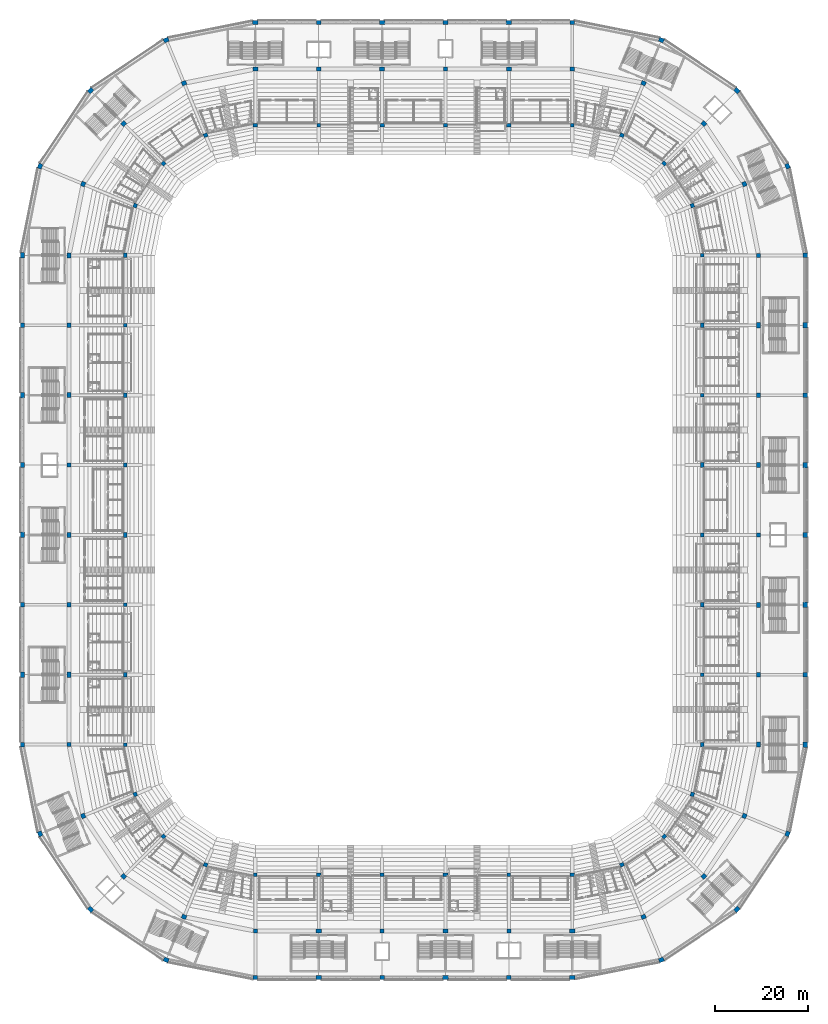
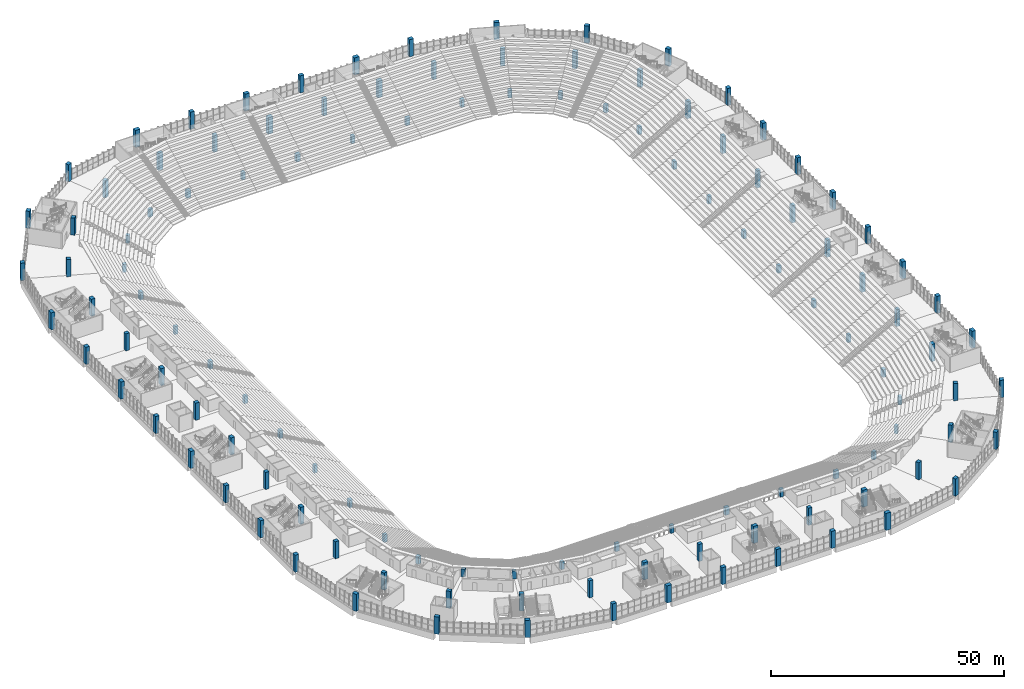
# One storey, part 1 of 249: 120 columns.
"""IFC4 building model written with IfcOpenShell, lengths in metres."""

import ifcopenshell
import ifcopenshell.guid

model = None  # the IFC model being written
_history = None  # IfcOwnerHistory: only IFC2X3 demands one
_inside = {}  # id of a spatial element -> (the spatial element, [elements in it])
_under = {}  # id of a project, library or spatial element -> (it, [spatial elements below it])
_declared = {}  # id of a project -> (the project, [libraries it declares])
_typed = {}  # id of a type object -> (the type object, [elements of that type])
_made_of = {}  # id of a material, layer set ... -> (it, [elements and type objects made of it])


def new_model(schema):
    """Start an empty IFC model of exactly this schema.

    Asked for "IFC4X3", IfcOpenShell would pick the latest addendum, in which some entities
    have other attributes; the version numbers below select the first issue.
    IFC2X3 requires an IfcOwnerHistory on every rooted entity: one is made here for all.
    """
    global model, _history
    if schema == "IFC4X3":
        model = ifcopenshell.file(schema_version=(4, 3, 0, 0))
    else:
        model = ifcopenshell.file(schema=schema)
    _inside.clear()
    _under.clear()
    _declared.clear()
    _typed.clear()
    _made_of.clear()
    _history = None
    if model.schema == "IFC2X3":
        org = make("IfcOrganization", Name="unknown")
        user = make(
            "IfcPersonAndOrganization",
            ThePerson=make("IfcPerson", FamilyName="unknown"),
            TheOrganization=org,
        )
        app = make(
            "IfcApplication",
            ApplicationDeveloper=org,
            Version="unknown",
            ApplicationFullName="unknown",
            ApplicationIdentifier="unknown",
        )
        _history = make(
            "IfcOwnerHistory",
            OwningUser=user,
            OwningApplication=app,
            ChangeAction="ADDED",
            CreationDate=0,
        )
    return model


def make(cls, **values):
    """One entity of the class cls with the attributes given. An attribute that is None is left unset."""
    return model.create_entity(
        cls, **{name: value for name, value in values.items() if value is not None}
    )


def rooted(cls, **values):
    """An entity with a GlobalId (a new one), such as an element, a storey or a relation."""
    return make(cls, GlobalId=ifcopenshell.guid.new(), OwnerHistory=_history, **values)


def si_unit(unit_type, name, prefix=None):
    """IfcSIUnit, for example si_unit("LENGTHUNIT", "METRE", prefix="MILLI")."""
    return make("IfcSIUnit", UnitType=unit_type, Prefix=prefix, Name=name)


def assignment(units):
    """IfcUnitAssignment: the units of a project."""
    return None if units is None else make("IfcUnitAssignment", Units=units)


def point(xyz):
    """IfcCartesianPoint."""
    return None if xyz is None else make("IfcCartesianPoint", Coordinates=xyz)


def direction(xyz):
    """IfcDirection."""
    return None if xyz is None else make("IfcDirection", DirectionRatios=xyz)


def frame(location, z_axis=None, x_axis=None):
    """IfcAxis2Placement3D, a coordinate frame: its origin and axes. An axis left out is left unset."""
    return make(
        "IfcAxis2Placement3D",
        Location=point(location),
        Axis=direction(z_axis),
        RefDirection=direction(x_axis),
    )


def frame_2d(location, x_axis=None):
    """IfcAxis2Placement2D, a coordinate frame in the plane: its origin and x axis."""
    return make(
        "IfcAxis2Placement2D", Location=point(location), RefDirection=direction(x_axis)
    )


def origin():
    """The frame at (0, 0, 0) with its axes left unset."""
    return frame((0.0, 0.0, 0.0))


def origin_2d():
    """The frame at (0, 0) in the plane with its x axis left unset."""
    return frame_2d((0.0, 0.0))


def place(relative_to, where):
    """IfcLocalPlacement: puts the frame where relative to a parent placement (None: the world)."""
    return make(
        "IfcLocalPlacement", PlacementRelTo=relative_to, RelativePlacement=where
    )


def context(
    kind, dimensions, precision=None, world=None, true_north=None, identifier=None
):
    """IfcGeometricRepresentationContext, for example the 3D "Model" context."""
    return make(
        "IfcGeometricRepresentationContext",
        ContextIdentifier=identifier,
        ContextType=kind,
        CoordinateSpaceDimension=dimensions,
        Precision=precision,
        WorldCoordinateSystem=world,
        TrueNorth=true_north,
    )


def subcontext(parent, identifier, kind, view, scale=None):
    """IfcGeometricRepresentationSubContext, for example "Body" below "Model"."""
    return make(
        "IfcGeometricRepresentationSubContext",
        ContextIdentifier=identifier,
        ContextType=kind,
        ParentContext=parent,
        TargetScale=scale,
        TargetView=view,
    )


def project(units=None, contexts=None):
    """IfcProject with its units and contexts."""
    return rooted(
        "IfcProject",
        Name="project",
        RepresentationContexts=contexts,
        UnitsInContext=assignment(units),
    )


def spatial(cls, under=None, at=None, **own):
    """A site, building, storey or space (cls), placed at a placement, below another one or the project."""
    s = rooted(cls, ObjectPlacement=at, **own)
    if under is not None:
        _under.setdefault(under.id(), (under, []))[1].append(s)
    return s


def profile(cls, at=None, kind="AREA", **sizes):
    """A parametric profile (cls). Its sizes go by their IFC names, for example OverallWidth=200.0."""
    return make(cls, ProfileType=kind, Position=at, **sizes)


def rectangle(**sizes):
    """IfcRectangleProfileDef."""
    return profile("IfcRectangleProfileDef", **sizes)


def extrude(swept, where, along, depth):
    """IfcExtrudedAreaSolid: the profile swept, set in the frame where, extruded along a direction by depth."""
    return make(
        "IfcExtrudedAreaSolid",
        SweptArea=swept,
        Position=where,
        ExtrudedDirection=direction(along),
        Depth=depth,
    )


def shape(context_of_items, identifier, shape_type, items):
    """IfcShapeRepresentation: the items that make up one representation, for example the "Body"."""
    return make(
        "IfcShapeRepresentation",
        ContextOfItems=context_of_items,
        RepresentationIdentifier=identifier,
        RepresentationType=shape_type,
        Items=items,
    )


def material(Name=None, Category=None):
    """IfcMaterial."""
    return make("IfcMaterial", Name=Name, Category=Category)


def material_profile(
    of_material, cross_section, Name=None, Category=None, Priority=None
):
    """IfcMaterialProfile: a cross section and its material."""
    return make(
        "IfcMaterialProfile",
        Name=Name,
        Material=of_material,
        Profile=cross_section,
        Priority=Priority,
        Category=Category,
    )


def profile_set(profiles, Name=None, composite=None):
    """IfcMaterialProfileSet."""
    return make(
        "IfcMaterialProfileSet",
        Name=Name,
        MaterialProfiles=profiles,
        CompositeProfile=composite,
    )


def made_of(thing, what):
    """Note that an element or type object is made of a material, layer set ...; save() writes the relation."""
    if what is not None:
        _made_of.setdefault(what.id(), (what, []))[1].append(thing)
    return thing


def type_object(cls, material=None, **own):
    """A type object (cls), such as IfcWallType, which elements share."""
    return made_of(rooted(cls, **own), material)


def element(
    cls,
    number,
    at=None,
    inside=None,
    cuts=None,
    type_object=None,
    material=None,
    context=None,
    identifier="Body",
    shape_type=None,
    held_by="IfcProductDefinitionShape",
    body=None,
    shapes=None,
    **own,
):
    """One element of the class cls, such as IfcWall. Its Tag is "e" and its number.

    at: its placement. inside: the storey or other place that contains it. cuts: it is an
    opening in that element (IfcRelVoidsElement). A single representation is given by context,
    identifier, shape_type and body (its items); several are given by shapes. held_by: the class
    of the entity that holds the representations. save() writes the other relations.
    """
    e = rooted(cls, Tag="e%d" % number, ObjectPlacement=at, **own)
    if body is not None:
        shapes = [shape(context, identifier, shape_type, body)]
    if shapes is not None:
        e.Representation = make(held_by, Representations=shapes)
    if inside is not None:
        _inside.setdefault(inside.id(), (inside, []))[1].append(e)
    if cuts is not None:
        rooted(
            "IfcRelVoidsElement", RelatingBuildingElement=cuts, RelatedOpeningElement=e
        )
    if type_object is not None:
        _typed.setdefault(type_object.id(), (type_object, []))[1].append(e)
    return made_of(e, material)


def aggregate(whole, parts):
    """IfcRelAggregates: a whole, such as a stair, and the parts it consists of."""
    return rooted("IfcRelAggregates", RelatingObject=whole, RelatedObjects=parts)


def save(model, path):
    """Write the relations noted so far, then the file.

    IfcRelAggregates (storeys below a building ...), IfcRelContainedInSpatialStructure (elements
    in a storey), IfcRelDefinesByType, IfcRelAssociatesMaterial and IfcRelDeclares: one each for
    every whole, place, type object, material and project.
    """
    for whole, parts in _under.values():
        aggregate(whole, parts)
    for where, things in _inside.values():
        rooted(
            "IfcRelContainedInSpatialStructure",
            RelatedElements=things,
            RelatingStructure=where,
        )
    for kind, things in _typed.values():
        rooted("IfcRelDefinesByType", RelatedObjects=things, RelatingType=kind)
    for what, things in _made_of.values():
        rooted("IfcRelAssociatesMaterial", RelatedObjects=things, RelatingMaterial=what)
    for by, libraries in _declared.values():
        rooted("IfcRelDeclares", RelatingContext=by, RelatedDefinitions=libraries)
    model.write(path)


model = new_model("IFC4")

# Units and contexts
model_context = context("Model", 3, precision=1e-05, world=origin(), true_north=direction((0.0, 1.0)))
body_context = subcontext(model_context, "Body", "Model", "MODEL_VIEW")
ifc_project = project(units=[si_unit("LENGTHUNIT", "METRE"), si_unit("AREAUNIT", "SQUARE_METRE"), si_unit("VOLUMEUNIT", "CUBIC_METRE"), si_unit("PLANEANGLEUNIT", "RADIAN"), si_unit("MASSUNIT", "GRAM", prefix="KILO")], contexts=[model_context])

# Site, building, storey
site_placement = place(None, origin())
site = spatial("IfcSite", under=ifc_project, at=site_placement, CompositionType="ELEMENT")
building_placement = place(site_placement, origin())
building = spatial("IfcBuilding", under=site, at=building_placement, Name="Ogive Plaza Stadium", CompositionType="ELEMENT")
storey_placement = place(building_placement, frame((0.0, 0.0, 13.5)))
storey = spatial("IfcBuildingStorey", under=building, at=storey_placement, Name="L03", CompositionType="ELEMENT", Elevation=13.5)

# Columns
ifc_material_1 = material(Name="Concrete C40/50", Category="concrete")
ifc_material_profile_1 = material_profile(ifc_material_1, rectangle(XDim=1.0, YDim=0.800048828125, at=origin_2d()), Name="RC 1000x800")
ifc_profile_set_1 = profile_set([ifc_material_profile_1], Name="Concrete C40/50")
column_type_1 = type_object("IfcColumnType", Name="RC column F3 core 1000x800", PredefinedType="COLUMN", material=ifc_profile_set_1)
for number, where, z_axis, x_axis, name in (
    (1, (61.89990234375, 37.5, 0.0), (0.0, 0.0, 1.0), (0.0, 1.0, 0.0), "Column F3 R02 L03"),
    (2, (61.89990234375, 7.5, 0.0), (0.0, 0.0, 1.0), (0.0, 1.0, 0.0), "Column F3 R04 L03"),
    (3, (61.89990234375, -22.5, 0.0), (0.0, 0.0, 1.0), (0.0, 1.0, 0.0), "Column F3 R06 L03"),
    (4, (61.89990234375, -52.5, 0.0), (0.0, 0.0, 1.0), (0.0, 1.0, 0.0), "Column F3 R08 L03"),
    (5, (34.0, -80.39990234375, 0.0), (0.0, 0.0, 1.0), (1.0, 0.0, 0.0), "Column F3 R12 L03"),
    (6, (6.800048828125, -80.39990234375, 0.0), (0.0, 0.0, 1.0), (1.0, 0.0, 0.0), "Column F3 R14 L03"),
    (7, (-20.39990234375, -80.39990234375, 0.0), (0.0, 0.0, 1.0), (1.0, 0.0, 0.0), "Column F3 R16 L03"),
    (8, (-61.89990234375, -37.5, 0.0), (0.0, 0.0, 1.0), (0.0, -1.0, 0.0), "Column F3 R22 L03"),
    (9, (-61.89990234375, -7.5, 0.0), (0.0, 0.0, 1.0), (0.0, -1.0, 0.0), "Column F3 R24 L03"),
    (10, (-61.89990234375, 22.5, 0.0), (0.0, 0.0, 1.0), (0.0, -1.0, 0.0), "Column F3 R26 L03"),
    (11, (-61.89990234375, 52.5, 0.0), (0.0, 0.0, 1.0), (0.0, -1.0, 0.0), "Column F3 R28 L03"),
    (12, (-34.0, 80.39990234375, 0.0), (0.0, 0.0, 1.0), (-1.0, 0.0, 0.0), "Column F3 R32 L03"),
    (13, (-6.800048828125, 80.39990234375, 0.0), (0.0, 0.0, 1.0), (-1.0, 0.0, 0.0), "Column F3 R34 L03"),
    (14, (20.39990234375, 80.39990234375, 0.0), (0.0, 0.0, 1.0), (-1.0, 0.0, 0.0), "Column F3 R36 L03"),
):
    element("IfcColumn", number, at=place(storey_placement, frame(where, z_axis=z_axis, x_axis=x_axis)), inside=storey, type_object=column_type_1, Name=name, PredefinedType="COLUMN", context=body_context, shape_type="SweptSolid", body=[
        extrude(rectangle(XDim=1.0, YDim=0.800048828125, at=origin_2d()), origin(), (0.0, 0.0, 1.0), 2.033203125),
    ])
ifc_material_2 = material(Name="Concrete C40/50", Category="concrete")
ifc_material_profile_2 = material_profile(ifc_material_2, rectangle(XDim=0.89990234375, YDim=0.800048828125, at=origin_2d()), Name="RC 900x800")
ifc_profile_set_2 = profile_set([ifc_material_profile_2], Name="Concrete C40/50")
column_type_2 = type_object("IfcColumnType", Name="RC column F3 corner 900x800", PredefinedType="COLUMN", material=ifc_profile_set_2)
for number, where, z_axis, x_axis, name in (
    (15, (59.776123046875, -63.1767578125, 0.0), (0.0, 0.0, 1.0), (0.382683432365, 0.923879532511, 0.0), "Column F3 R09 L03"),
    (16, (53.728271484375, -72.228271484375, 0.0), (0.0, 0.0, 1.0), (0.707106781187, 0.707106781187, 0.0), "Column F3 R10 L03"),
    (17, (44.6767578125, -78.276123046875, 0.0), (0.0, 0.0, 1.0), (0.923879532511, 0.382683432365, 0.0), "Column F3 R11 L03"),
    (18, (-44.6767578125, -78.276123046875, 0.0), (0.0, 0.0, 1.0), (0.923879532511, -0.382683432365, 0.0), "Column F3 R18 L03"),
    (19, (-53.728271484375, -72.228271484375, 0.0), (0.0, 0.0, 1.0), (0.707106781187, -0.707106781187, 0.0), "Column F3 R19 L03"),
    (20, (-59.776123046875, -63.1767578125, 0.0), (0.0, 0.0, 1.0), (0.382683432365, -0.923879532511, 0.0), "Column F3 R20 L03"),
    (21, (-59.776123046875, 63.1767578125, 0.0), (0.0, 0.0, 1.0), (-0.382683432365, -0.923879532511, 0.0), "Column F3 R29 L03"),
    (22, (-53.728271484375, 72.228271484375, 0.0), (0.0, 0.0, 1.0), (-0.707106781187, -0.707106781187, 0.0), "Column F3 R30 L03"),
    (23, (-44.6767578125, 78.276123046875, 0.0), (0.0, 0.0, 1.0), (-0.923879532511, -0.382683432365, 0.0), "Column F3 R31 L03"),
    (24, (44.6767578125, 78.276123046875, 0.0), (0.0, 0.0, 1.0), (-0.923879532511, 0.382683432365, 0.0), "Column F3 R38 L03"),
    (25, (53.728271484375, 72.228271484375, 0.0), (0.0, 0.0, 1.0), (-0.707106781187, 0.707106781187, 0.0), "Column F3 R39 L03"),
    (26, (59.776123046875, 63.1767578125, 0.0), (0.0, 0.0, 1.0), (-0.382683432365, 0.923879532511, 0.0), "Column F3 R40 L03"),
):
    element("IfcColumn", number, at=place(storey_placement, frame(where, z_axis=z_axis, x_axis=x_axis)), inside=storey, type_object=column_type_2, Name=name, PredefinedType="COLUMN", context=body_context, shape_type="SweptSolid", body=[
        extrude(rectangle(XDim=0.89990234375, YDim=0.800048828125, at=origin_2d()), origin(), (0.0, 0.0, 1.0), 2.033203125),
    ])
ifc_material_3 = material(Name="Concrete C40/50", Category="concrete")
ifc_material_profile_3 = material_profile(ifc_material_3, rectangle(XDim=0.800048828125, YDim=0.800048828125, at=origin_2d()), Name="RC 800x800")
ifc_profile_set_3 = profile_set([ifc_material_profile_3], Name="Concrete C40/50")
column_type_3 = type_object("IfcColumnType", Name="RC column F3 typical 800x800", PredefinedType="COLUMN", material=ifc_profile_set_3)
for number, where, z_axis, x_axis, name in (
    (27, (61.89990234375, 52.5, 0.0), (0.0, 0.0, 1.0), (0.0, 1.0, 0.0), "Column F3 R01 L03"),
    (28, (61.89990234375, 22.5, 0.0), (0.0, 0.0, 1.0), (0.0, 1.0, 0.0), "Column F3 R03 L03"),
    (29, (61.89990234375, -7.5, 0.0), (0.0, 0.0, 1.0), (0.0, 1.0, 0.0), "Column F3 R05 L03"),
    (30, (61.89990234375, -37.5, 0.0), (0.0, 0.0, 1.0), (0.0, 1.0, 0.0), "Column F3 R07 L03"),
    (31, (20.39990234375, -80.39990234375, 0.0), (0.0, 0.0, 1.0), (1.0, 0.0, 0.0), "Column F3 R13 L03"),
    (32, (-6.800048828125, -80.39990234375, 0.0), (0.0, 0.0, 1.0), (1.0, 0.0, 0.0), "Column F3 R15 L03"),
    (33, (-34.0, -80.39990234375, 0.0), (0.0, 0.0, 1.0), (1.0, 0.0, 0.0), "Column F3 R17 L03"),
    (34, (-61.89990234375, -52.5, 0.0), (0.0, 0.0, 1.0), (0.0, -1.0, 0.0), "Column F3 R21 L03"),
    (35, (-61.89990234375, -22.5, 0.0), (0.0, 0.0, 1.0), (0.0, -1.0, 0.0), "Column F3 R23 L03"),
    (36, (-61.89990234375, 7.5, 0.0), (0.0, 0.0, 1.0), (0.0, -1.0, 0.0), "Column F3 R25 L03"),
    (37, (-61.89990234375, 37.5, 0.0), (0.0, 0.0, 1.0), (0.0, -1.0, 0.0), "Column F3 R27 L03"),
    (38, (-20.39990234375, 80.39990234375, 0.0), (0.0, 0.0, 1.0), (-1.0, 0.0, 0.0), "Column F3 R33 L03"),
    (39, (6.800048828125, 80.39990234375, 0.0), (0.0, 0.0, 1.0), (-1.0, 0.0, 0.0), "Column F3 R35 L03"),
    (40, (34.0, 80.39990234375, 0.0), (0.0, 0.0, 1.0), (-1.0, 0.0, 0.0), "Column F3 R37 L03"),
):
    element("IfcColumn", number, at=place(storey_placement, frame(where, z_axis=z_axis, x_axis=x_axis)), inside=storey, type_object=column_type_3, Name=name, PredefinedType="COLUMN", context=body_context, shape_type="SweptSolid", body=[
        extrude(rectangle(XDim=0.800048828125, YDim=0.800048828125, at=origin_2d()), origin(), (0.0, 0.0, 1.0), 2.033203125),
    ])
ifc_material_4 = material(Name="Concrete C40/50", Category="concrete")
ifc_material_profile_4 = material_profile(ifc_material_4, rectangle(XDim=1.10009765625, YDim=0.89990234375, at=origin_2d()), Name="RC 1100x900")
ifc_profile_set_4 = profile_set([ifc_material_profile_4], Name="Concrete C40/50")
column_type_4 = type_object("IfcColumnType", Name="RC column F4 core 1100x900", PredefinedType="COLUMN", material=ifc_profile_set_4)
for number, where, z_axis, x_axis, name in (
    (41, (74.0, 37.5, 0.0), (0.0, 0.0, 1.0), (0.0, 1.0, 0.0), "Column F4 R02 L03"),
    (42, (74.0, 7.5, 0.0), (0.0, 0.0, 1.0), (0.0, 1.0, 0.0), "Column F4 R04 L03"),
    (43, (74.0, -22.5, 0.0), (0.0, 0.0, 1.0), (0.0, 1.0, 0.0), "Column F4 R06 L03"),
    (44, (74.0, -52.5, 0.0), (0.0, 0.0, 1.0), (0.0, 1.0, 0.0), "Column F4 R08 L03"),
    (45, (34.0, -92.5, 0.0), (0.0, 0.0, 1.0), (1.0, 0.0, 0.0), "Column F4 R12 L03"),
    (46, (6.800048828125, -92.5, 0.0), (0.0, 0.0, 1.0), (1.0, 0.0, 0.0), "Column F4 R14 L03"),
    (47, (-20.39990234375, -92.5, 0.0), (0.0, 0.0, 1.0), (1.0, 0.0, 0.0), "Column F4 R16 L03"),
    (48, (-74.0, -37.5, 0.0), (0.0, 0.0, 1.0), (0.0, -1.0, 0.0), "Column F4 R22 L03"),
    (49, (-74.0, -7.5, 0.0), (0.0, 0.0, 1.0), (0.0, -1.0, 0.0), "Column F4 R24 L03"),
    (50, (-74.0, 22.5, 0.0), (0.0, 0.0, 1.0), (0.0, -1.0, 0.0), "Column F4 R26 L03"),
    (51, (-74.0, 52.5, 0.0), (0.0, 0.0, 1.0), (0.0, -1.0, 0.0), "Column F4 R28 L03"),
    (52, (-34.0, 92.5, 0.0), (0.0, 0.0, 1.0), (-1.0, 0.0, 0.0), "Column F4 R32 L03"),
    (53, (-6.800048828125, 92.5, 0.0), (0.0, 0.0, 1.0), (-1.0, 0.0, 0.0), "Column F4 R34 L03"),
    (54, (20.39990234375, 92.5, 0.0), (0.0, 0.0, 1.0), (-1.0, 0.0, 0.0), "Column F4 R36 L03"),
):
    element("IfcColumn", number, at=place(storey_placement, frame(where, z_axis=z_axis, x_axis=x_axis)), inside=storey, type_object=column_type_4, Name=name, PredefinedType="COLUMN", context=body_context, shape_type="SweptSolid", body=[
        extrude(rectangle(XDim=1.10009765625, YDim=0.89990234375, at=origin_2d()), origin(), (0.0, 0.0, 1.0), 4.5),
    ])
ifc_material_5 = material(Name="Concrete C40/50", Category="concrete")
ifc_material_profile_5 = material_profile(ifc_material_5, rectangle(XDim=1.0, YDim=0.89990234375, at=origin_2d()), Name="RC 1000x900")
ifc_profile_set_5 = profile_set([ifc_material_profile_5], Name="Concrete C40/50")
column_type_5 = type_object("IfcColumnType", Name="RC column F4 corner 1000x900", PredefinedType="COLUMN", material=ifc_profile_set_5)
for number, where, z_axis, x_axis, name in (
    (55, (70.955078125, -67.807373046875, 0.0), (0.0, 0.0, 1.0), (0.382683432365, 0.923879532511, 0.0), "Column F4 R09 L03"),
    (56, (62.2841796875, -80.7841796875, 0.0), (0.0, 0.0, 1.0), (0.707106781187, 0.707106781187, 0.0), "Column F4 R10 L03"),
    (57, (49.307373046875, -89.455078125, 0.0), (0.0, 0.0, 1.0), (0.923879532511, 0.382683432365, 0.0), "Column F4 R11 L03"),
    (58, (-49.307373046875, -89.455078125, 0.0), (0.0, 0.0, 1.0), (0.923879532511, -0.382683432365, 0.0), "Column F4 R18 L03"),
    (59, (-62.2841796875, -80.7841796875, 0.0), (0.0, 0.0, 1.0), (0.707106781187, -0.707106781187, 0.0), "Column F4 R19 L03"),
    (60, (-70.955078125, -67.807373046875, 0.0), (0.0, 0.0, 1.0), (0.382683432365, -0.923879532511, 0.0), "Column F4 R20 L03"),
    (61, (-70.955078125, 67.807373046875, 0.0), (0.0, 0.0, 1.0), (-0.382683432365, -0.923879532511, 0.0), "Column F4 R29 L03"),
    (62, (-62.2841796875, 80.7841796875, 0.0), (0.0, 0.0, 1.0), (-0.707106781187, -0.707106781187, 0.0), "Column F4 R30 L03"),
    (63, (-49.307373046875, 89.455078125, 0.0), (0.0, 0.0, 1.0), (-0.923879532511, -0.382683432365, 0.0), "Column F4 R31 L03"),
    (64, (49.307373046875, 89.455078125, 0.0), (0.0, 0.0, 1.0), (-0.923879532511, 0.382683432365, 0.0), "Column F4 R38 L03"),
    (65, (62.2841796875, 80.7841796875, 0.0), (0.0, 0.0, 1.0), (-0.707106781187, 0.707106781187, 0.0), "Column F4 R39 L03"),
    (66, (70.955078125, 67.807373046875, 0.0), (0.0, 0.0, 1.0), (-0.382683432365, 0.923879532511, 0.0), "Column F4 R40 L03"),
):
    element("IfcColumn", number, at=place(storey_placement, frame(where, z_axis=z_axis, x_axis=x_axis)), inside=storey, type_object=column_type_5, Name=name, PredefinedType="COLUMN", context=body_context, shape_type="SweptSolid", body=[
        extrude(rectangle(XDim=1.0, YDim=0.89990234375, at=origin_2d()), origin(), (0.0, 0.0, 1.0), 4.5),
    ])
ifc_material_6 = material(Name="Concrete C40/50", Category="concrete")
ifc_material_profile_6 = material_profile(ifc_material_6, rectangle(XDim=0.89990234375, YDim=0.89990234375, at=origin_2d()), Name="RC 900x900")
ifc_profile_set_6 = profile_set([ifc_material_profile_6], Name="Concrete C40/50")
column_type_6 = type_object("IfcColumnType", Name="RC column F4 typical 900x900", PredefinedType="COLUMN", material=ifc_profile_set_6)
for number, where, z_axis, x_axis, name in (
    (67, (74.0, 52.5, 0.0), (0.0, 0.0, 1.0), (0.0, 1.0, 0.0), "Column F4 R01 L03"),
    (68, (74.0, 22.5, 0.0), (0.0, 0.0, 1.0), (0.0, 1.0, 0.0), "Column F4 R03 L03"),
    (69, (74.0, -7.5, 0.0), (0.0, 0.0, 1.0), (0.0, 1.0, 0.0), "Column F4 R05 L03"),
    (70, (74.0, -37.5, 0.0), (0.0, 0.0, 1.0), (0.0, 1.0, 0.0), "Column F4 R07 L03"),
    (71, (20.39990234375, -92.5, 0.0), (0.0, 0.0, 1.0), (1.0, 0.0, 0.0), "Column F4 R13 L03"),
    (72, (-6.800048828125, -92.5, 0.0), (0.0, 0.0, 1.0), (1.0, 0.0, 0.0), "Column F4 R15 L03"),
    (73, (-34.0, -92.5, 0.0), (0.0, 0.0, 1.0), (1.0, 0.0, 0.0), "Column F4 R17 L03"),
    (74, (-74.0, -52.5, 0.0), (0.0, 0.0, 1.0), (0.0, -1.0, 0.0), "Column F4 R21 L03"),
    (75, (-74.0, -22.5, 0.0), (0.0, 0.0, 1.0), (0.0, -1.0, 0.0), "Column F4 R23 L03"),
    (76, (-74.0, 7.5, 0.0), (0.0, 0.0, 1.0), (0.0, -1.0, 0.0), "Column F4 R25 L03"),
    (77, (-74.0, 37.5, 0.0), (0.0, 0.0, 1.0), (0.0, -1.0, 0.0), "Column F4 R27 L03"),
    (78, (-20.39990234375, 92.5, 0.0), (0.0, 0.0, 1.0), (-1.0, 0.0, 0.0), "Column F4 R33 L03"),
    (79, (6.800048828125, 92.5, 0.0), (0.0, 0.0, 1.0), (-1.0, 0.0, 0.0), "Column F4 R35 L03"),
    (80, (34.0, 92.5, 0.0), (0.0, 0.0, 1.0), (-1.0, 0.0, 0.0), "Column F4 R37 L03"),
):
    element("IfcColumn", number, at=place(storey_placement, frame(where, z_axis=z_axis, x_axis=x_axis)), inside=storey, type_object=column_type_6, Name=name, PredefinedType="COLUMN", context=body_context, shape_type="SweptSolid", body=[
        extrude(rectangle(XDim=0.89990234375, YDim=0.89990234375, at=origin_2d()), origin(), (0.0, 0.0, 1.0), 4.5),
    ])
ifc_material_7 = material(Name="Concrete C40/50", Category="concrete")
ifc_material_profile_7 = material_profile(ifc_material_7, rectangle(XDim=1.199951171875, YDim=0.89990234375, at=origin_2d()), Name="RC 1200x900")
ifc_profile_set_7 = profile_set([ifc_material_profile_7], Name="Concrete C40/50")
column_type_7 = type_object("IfcColumnType", Name="RC column F5 core 1200x900", PredefinedType="COLUMN", material=ifc_profile_set_7)
for number, where, z_axis, x_axis, name in (
    (81, (84.0, 37.5, 0.0), (0.0, 0.0, 1.0), (0.0, 1.0, 0.0), "Column F5 R02 L03"),
    (82, (84.0, 7.5, 0.0), (0.0, 0.0, 1.0), (0.0, 1.0, 0.0), "Column F5 R04 L03"),
    (83, (84.0, -22.5, 0.0), (0.0, 0.0, 1.0), (0.0, 1.0, 0.0), "Column F5 R06 L03"),
    (84, (84.0, -52.5, 0.0), (0.0, 0.0, 1.0), (0.0, 1.0, 0.0), "Column F5 R08 L03"),
    (85, (34.0, -102.5, 0.0), (0.0, 0.0, 1.0), (1.0, 0.0, 0.0), "Column F5 R12 L03"),
    (86, (6.800048828125, -102.5, 0.0), (0.0, 0.0, 1.0), (1.0, 0.0, 0.0), "Column F5 R14 L03"),
    (87, (-20.39990234375, -102.5, 0.0), (0.0, 0.0, 1.0), (1.0, 0.0, 0.0), "Column F5 R16 L03"),
    (88, (-84.0, -37.5, 0.0), (0.0, 0.0, 1.0), (0.0, -1.0, 0.0), "Column F5 R22 L03"),
    (89, (-84.0, -7.5, 0.0), (0.0, 0.0, 1.0), (0.0, -1.0, 0.0), "Column F5 R24 L03"),
    (90, (-84.0, 22.5, 0.0), (0.0, 0.0, 1.0), (0.0, -1.0, 0.0), "Column F5 R26 L03"),
    (91, (-84.0, 52.5, 0.0), (0.0, 0.0, 1.0), (0.0, -1.0, 0.0), "Column F5 R28 L03"),
    (92, (-34.0, 102.5, 0.0), (0.0, 0.0, 1.0), (-1.0, 0.0, 0.0), "Column F5 R32 L03"),
    (93, (-6.800048828125, 102.5, 0.0), (0.0, 0.0, 1.0), (-1.0, 0.0, 0.0), "Column F5 R34 L03"),
    (94, (20.39990234375, 102.5, 0.0), (0.0, 0.0, 1.0), (-1.0, 0.0, 0.0), "Column F5 R36 L03"),
):
    element("IfcColumn", number, at=place(storey_placement, frame(where, z_axis=z_axis, x_axis=x_axis)), inside=storey, type_object=column_type_7, Name=name, PredefinedType="COLUMN", context=body_context, shape_type="SweptSolid", body=[
        extrude(rectangle(XDim=1.199951171875, YDim=0.89990234375, at=origin_2d()), origin(), (0.0, 0.0, 1.0), 4.5),
    ])
ifc_material_8 = material(Name="Concrete C40/50", Category="concrete")
ifc_material_profile_8 = material_profile(ifc_material_8, rectangle(XDim=1.10009765625, YDim=0.89990234375, at=origin_2d()), Name="RC 1100x900")
ifc_profile_set_8 = profile_set([ifc_material_profile_8], Name="Concrete C40/50")
column_type_8 = type_object("IfcColumnType", Name="RC column F5 corner 1100x900", PredefinedType="COLUMN", material=ifc_profile_set_8)
for number, where, z_axis, x_axis, name in (
    (95, (80.194091796875, -71.63427734375, 0.0), (0.0, 0.0, 1.0), (0.382683432365, 0.923879532511, 0.0), "Column F5 R09 L03"),
    (96, (69.355224609375, -87.855224609375, 0.0), (0.0, 0.0, 1.0), (0.707106781187, 0.707106781187, 0.0), "Column F5 R10 L03"),
    (97, (53.13427734375, -98.694091796875, 0.0), (0.0, 0.0, 1.0), (0.923879532511, 0.382683432365, 0.0), "Column F5 R11 L03"),
    (98, (-53.13427734375, -98.694091796875, 0.0), (0.0, 0.0, 1.0), (0.923879532511, -0.382683432365, 0.0), "Column F5 R18 L03"),
    (99, (-69.355224609375, -87.855224609375, 0.0), (0.0, 0.0, 1.0), (0.707106781187, -0.707106781187, 0.0), "Column F5 R19 L03"),
    (100, (-80.194091796875, -71.63427734375, 0.0), (0.0, 0.0, 1.0), (0.382683432365, -0.923879532511, 0.0), "Column F5 R20 L03"),
    (101, (-80.194091796875, 71.63427734375, 0.0), (0.0, 0.0, 1.0), (-0.382683432365, -0.923879532511, 0.0), "Column F5 R29 L03"),
    (102, (-69.355224609375, 87.855224609375, 0.0), (0.0, 0.0, 1.0), (-0.707106781187, -0.707106781187, 0.0), "Column F5 R30 L03"),
    (103, (-53.13427734375, 98.694091796875, 0.0), (0.0, 0.0, 1.0), (-0.923879532511, -0.382683432365, 0.0), "Column F5 R31 L03"),
    (104, (53.13427734375, 98.694091796875, 0.0), (0.0, 0.0, 1.0), (-0.923879532511, 0.382683432365, 0.0), "Column F5 R38 L03"),
    (105, (69.355224609375, 87.855224609375, 0.0), (0.0, 0.0, 1.0), (-0.707106781187, 0.707106781187, 0.0), "Column F5 R39 L03"),
    (106, (80.194091796875, 71.63427734375, 0.0), (0.0, 0.0, 1.0), (-0.382683432365, 0.923879532511, 0.0), "Column F5 R40 L03"),
):
    element("IfcColumn", number, at=place(storey_placement, frame(where, z_axis=z_axis, x_axis=x_axis)), inside=storey, type_object=column_type_8, Name=name, PredefinedType="COLUMN", context=body_context, shape_type="SweptSolid", body=[
        extrude(rectangle(XDim=1.10009765625, YDim=0.89990234375, at=origin_2d()), origin(), (0.0, 0.0, 1.0), 4.5),
    ])
ifc_material_9 = material(Name="Concrete C40/50", Category="concrete")
ifc_material_profile_9 = material_profile(ifc_material_9, rectangle(XDim=1.0, YDim=0.89990234375, at=origin_2d()), Name="RC 1000x900")
ifc_profile_set_9 = profile_set([ifc_material_profile_9], Name="Concrete C40/50")
column_type_9 = type_object("IfcColumnType", Name="RC column F5 typical 1000x900", PredefinedType="COLUMN", material=ifc_profile_set_9)
for number, where, z_axis, x_axis, name in (
    (107, (84.0, 52.5, 0.0), (0.0, 0.0, 1.0), (0.0, 1.0, 0.0), "Column F5 R01 L03"),
    (108, (84.0, 22.5, 0.0), (0.0, 0.0, 1.0), (0.0, 1.0, 0.0), "Column F5 R03 L03"),
    (109, (84.0, -7.5, 0.0), (0.0, 0.0, 1.0), (0.0, 1.0, 0.0), "Column F5 R05 L03"),
    (110, (84.0, -37.5, 0.0), (0.0, 0.0, 1.0), (0.0, 1.0, 0.0), "Column F5 R07 L03"),
    (111, (20.39990234375, -102.5, 0.0), (0.0, 0.0, 1.0), (1.0, 0.0, 0.0), "Column F5 R13 L03"),
    (112, (-6.800048828125, -102.5, 0.0), (0.0, 0.0, 1.0), (1.0, 0.0, 0.0), "Column F5 R15 L03"),
    (113, (-34.0, -102.5, 0.0), (0.0, 0.0, 1.0), (1.0, 0.0, 0.0), "Column F5 R17 L03"),
    (114, (-84.0, -52.5, 0.0), (0.0, 0.0, 1.0), (0.0, -1.0, 0.0), "Column F5 R21 L03"),
    (115, (-84.0, -22.5, 0.0), (0.0, 0.0, 1.0), (0.0, -1.0, 0.0), "Column F5 R23 L03"),
    (116, (-84.0, 7.5, 0.0), (0.0, 0.0, 1.0), (0.0, -1.0, 0.0), "Column F5 R25 L03"),
    (117, (-84.0, 37.5, 0.0), (0.0, 0.0, 1.0), (0.0, -1.0, 0.0), "Column F5 R27 L03"),
    (118, (-20.39990234375, 102.5, 0.0), (0.0, 0.0, 1.0), (-1.0, 0.0, 0.0), "Column F5 R33 L03"),
    (119, (6.800048828125, 102.5, 0.0), (0.0, 0.0, 1.0), (-1.0, 0.0, 0.0), "Column F5 R35 L03"),
    (120, (34.0, 102.5, 0.0), (0.0, 0.0, 1.0), (-1.0, 0.0, 0.0), "Column F5 R37 L03"),
):
    element("IfcColumn", number, at=place(storey_placement, frame(where, z_axis=z_axis, x_axis=x_axis)), inside=storey, type_object=column_type_9, Name=name, PredefinedType="COLUMN", context=body_context, shape_type="SweptSolid", body=[
        extrude(rectangle(XDim=1.0, YDim=0.89990234375, at=origin_2d()), origin(), (0.0, 0.0, 1.0), 4.5),
    ])

save(model, "model.ifc")
